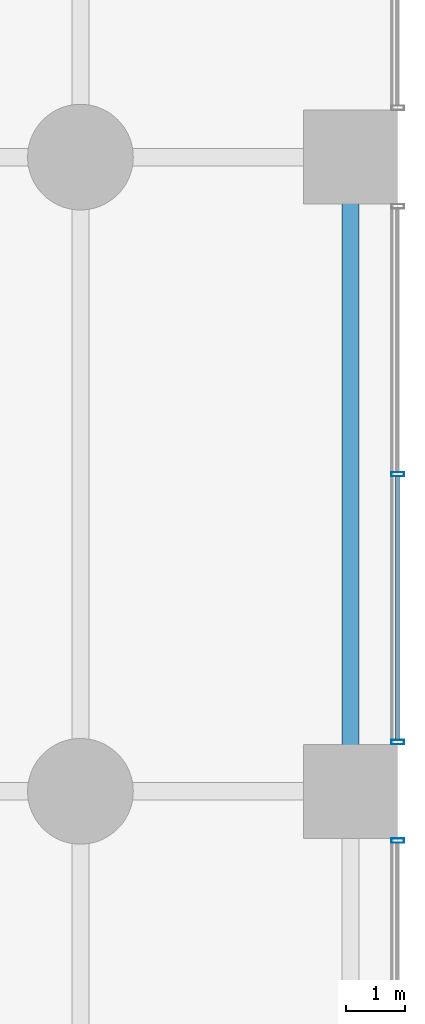
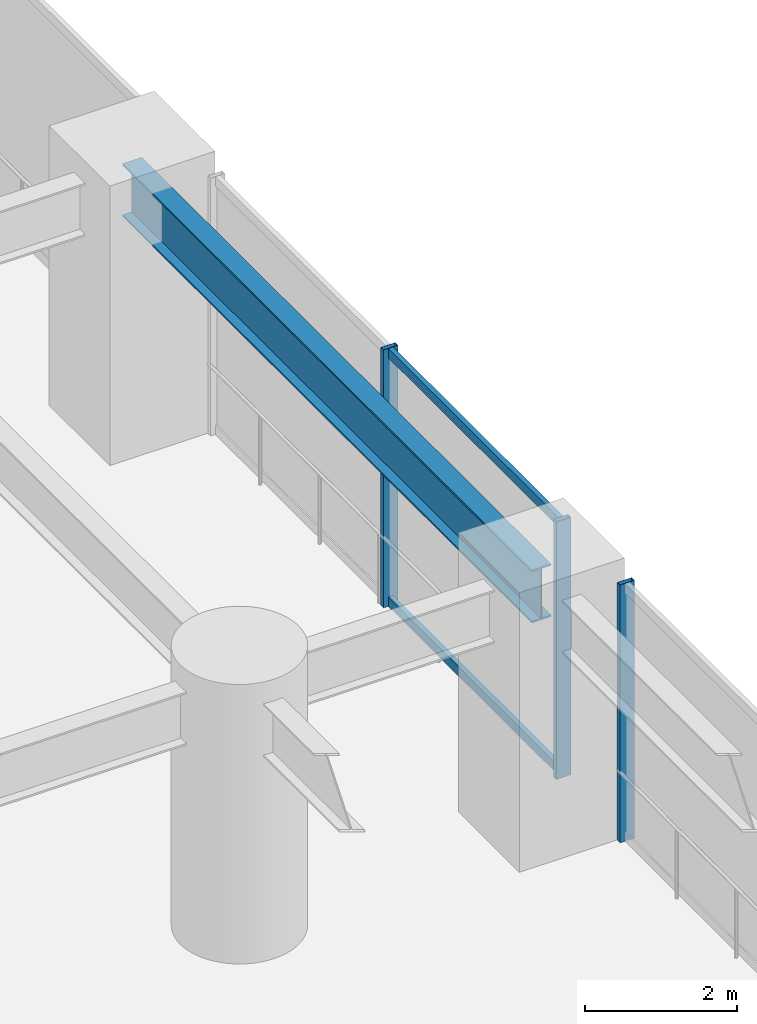
# One storey, part 22 of 35: 5 members, 1 beam, 2 elements without a shape of their own.
"""IFC4 building model written with IfcOpenShell, lengths in metres."""

from ifc_helpers import new_model, si_unit, direction, frame, origin, origin_2d, place, context, subcontext, project, spatial, hollow_rectangle, i_section, extrude, material, layer, layer_set, material_profile, profile_set, type_object, element, aggregate, save


model = new_model("IFC4")

# Units and contexts
model_context = context("Model", 3, precision=1e-05, world=origin(), true_north=direction((0.0, 1.0)))
body_context = subcontext(model_context, "Body", "Model", "MODEL_VIEW")
ifc_project = project(units=[si_unit("LENGTHUNIT", "METRE"), si_unit("AREAUNIT", "SQUARE_METRE"), si_unit("VOLUMEUNIT", "CUBIC_METRE"), si_unit("PLANEANGLEUNIT", "RADIAN"), si_unit("MASSUNIT", "GRAM", prefix="KILO")], contexts=[model_context])

# Site, building, storey
site_placement = place(None, origin())
site = spatial("IfcSite", under=ifc_project, at=site_placement, CompositionType="ELEMENT")
building_placement = place(site_placement, origin())
building = spatial("IfcBuilding", under=site, at=building_placement, Name="Surkhivell Harbour Commons", CompositionType="ELEMENT")
storey_placement = place(building_placement, frame((0.0, 0.0, 13.5)))
storey = spatial("IfcBuildingStorey", under=building, at=storey_placement, Name="L03", CompositionType="ELEMENT", Elevation=13.5)

# Beam
ifc_material_1 = material(Name="Steel S460", Category="steel")
ifc_material_profile_1 = material_profile(ifc_material_1, i_section(OverallWidth=0.2939453125, OverallDepth=0.85107421875, WebThickness=0.01611328125, FlangeThickness=0.02685546875, at=origin_2d()), Name="UB838x292x226")
ifc_profile_set_1 = profile_set([ifc_material_profile_1], Name="Steel S460")
beam_type = type_object("IfcBeamType", Name="BM-SPN-838", PredefinedType="SPANDREL", material=ifc_profile_set_1)
beam_placement = place(storey_placement, frame((37.0, 0.0, 3.724609375), z_axis=(0.0, 1.0, 0.0), x_axis=(-1.0, 0.0, 0.0)))
element("IfcBeam", 1, at=beam_placement, inside=storey, type_object=beam_type, Name="L03 Framing Beam (37.0,0.0)", PredefinedType="SPANDREL", context=body_context, shape_type="SweptSolid", body=[
    extrude(i_section(OverallWidth=0.2939453125, OverallDepth=0.85107421875, WebThickness=0.01611328125, FlangeThickness=0.02685546875, at=origin_2d()), origin(), (0.0, 0.0, 1.0), 10.800048828125),
])

# Curtain wall, member
ifc_material_2 = material(Name="Anodised pale-metal aluminium and insulated glazing", Category="aluminium")
ifc_layer = layer(ifc_material_2, 0.239990234375)
ifc_layer_set = layer_set([ifc_layer], Name="Anodised pale-metal aluminium and insulated glazing")
curtain_wall_type = type_object("IfcCurtainWallType", Name="CW-SYS-POD", PredefinedType="NOTDEFINED", material=ifc_layer_set)
curtain_wall_1_placement = place(storey_placement, origin())
curtain_wall_1 = element("IfcCurtainWall", 2, at=curtain_wall_1_placement, inside=storey, type_object=curtain_wall_type, Name="L03 Curtain Wall CW-L03-E3", PredefinedType="NOTDEFINED")
ifc_material_3 = material(Name="Anodised pale-metal aluminium alloy 6063-T6", Category="aluminium")
ifc_material_profile_2 = material_profile(ifc_material_3, hollow_rectangle(XDim=0.074951171875, YDim=0.219970703125, WallThickness=0.00390625, at=origin_2d()), Name="ALU-MULL-75x220")
ifc_profile_set_2 = profile_set([ifc_material_profile_2], Name="Anodised pale-metal aluminium alloy 6063-T6")
member_type_1 = type_object("IfcMemberType", Name="CWM-220", PredefinedType="MULLION", material=ifc_profile_set_2)
member_1_placement = place(storey_placement, frame((37.800048828125, -0.839599609375, 0.0), z_axis=(0.0, 0.0, 1.0), x_axis=(0.0, -1.0, 0.0)))
member_1 = element("IfcMember", 3, at=member_1_placement, type_object=member_type_1, Name="CW-POD mullion 1", PredefinedType="MULLION", context=body_context, shape_type="SweptSolid", body=[
    extrude(hollow_rectangle(XDim=0.074951171875, YDim=0.219970703125, WallThickness=0.00390625, at=origin_2d()), origin(), (0.0, 0.0, 1.0), 4.14990234375),
])
aggregate(curtain_wall_1, [member_1])

# Curtain wall, members
curtain_wall_2_placement = place(storey_placement, origin())
curtain_wall_2 = element("IfcCurtainWall", 4, at=curtain_wall_2_placement, inside=storey, type_object=curtain_wall_type, Name="L03 Curtain Wall CW-L03-E4", PredefinedType="NOTDEFINED")
member_2_placement = place(storey_placement, frame((37.800048828125, 5.39990234375, 0.0), z_axis=(0.0, 0.0, 1.0), x_axis=(0.0, -1.0, 0.0)))
member_2 = element("IfcMember", 5, at=member_2_placement, type_object=member_type_1, Name="CW-POD mullion 2", PredefinedType="MULLION", context=body_context, shape_type="SweptSolid", body=[
    extrude(hollow_rectangle(XDim=0.074951171875, YDim=0.219970703125, WallThickness=0.00390625, at=origin_2d()), origin(), (0.0, 0.0, 1.0), 4.14990234375),
])
member_3_placement = place(storey_placement, frame((37.800048828125, 0.839599609375, 0.0), z_axis=(0.0, 0.0, 1.0), x_axis=(0.0, -1.0, 0.0)))
member_3 = element("IfcMember", 6, at=member_3_placement, type_object=member_type_1, Name="CW-POD mullion 3", PredefinedType="MULLION", context=body_context, shape_type="SweptSolid", body=[
    extrude(hollow_rectangle(XDim=0.074951171875, YDim=0.219970703125, WallThickness=0.00390625, at=origin_2d()), origin(), (0.0, 0.0, 1.0), 4.14990234375),
])
ifc_material_profile_3 = material_profile(ifc_material_3, hollow_rectangle(XDim=0.074951171875, YDim=0.14990234375, WallThickness=0.00341796875, at=origin_2d()), Name="ALU-TRAN-75x150")
ifc_profile_set_3 = profile_set([ifc_material_profile_3], Name="Anodised pale-metal aluminium alloy 6063-T6")
member_type_2 = type_object("IfcMemberType", Name="CWT-150", PredefinedType="USERDEFINED", material=ifc_profile_set_3)
member_4_placement = place(storey_placement, frame((37.800048828125, 5.362548828125, 0.074951171875), z_axis=(0.0, -1.0, 0.0), x_axis=(1.0, 0.0, 0.0)))
member_4 = element("IfcMember", 7, at=member_4_placement, type_object=member_type_2, Name="CW-POD transom 2.1", ObjectType="TRANSOM", PredefinedType="USERDEFINED", context=body_context, shape_type="SweptSolid", body=[
    extrude(hollow_rectangle(XDim=0.074951171875, YDim=0.14990234375, WallThickness=0.00341796875, at=origin_2d()), origin(), (0.0, 0.0, 1.0), 4.485595703125),
])
member_5_placement = place(storey_placement, frame((37.800048828125, 5.362548828125, 4.074951171875), z_axis=(0.0, -1.0, 0.0), x_axis=(1.0, 0.0, 0.0)))
member_5 = element("IfcMember", 8, at=member_5_placement, type_object=member_type_2, Name="CW-POD transom 2.2", ObjectType="TRANSOM", PredefinedType="USERDEFINED", context=body_context, shape_type="SweptSolid", body=[
    extrude(hollow_rectangle(XDim=0.074951171875, YDim=0.14990234375, WallThickness=0.00341796875, at=origin_2d()), origin(), (0.0, 0.0, 1.0), 4.485595703125),
])
aggregate(curtain_wall_2, [member_2, member_3, member_4, member_5])

save(model, "model.ifc")
